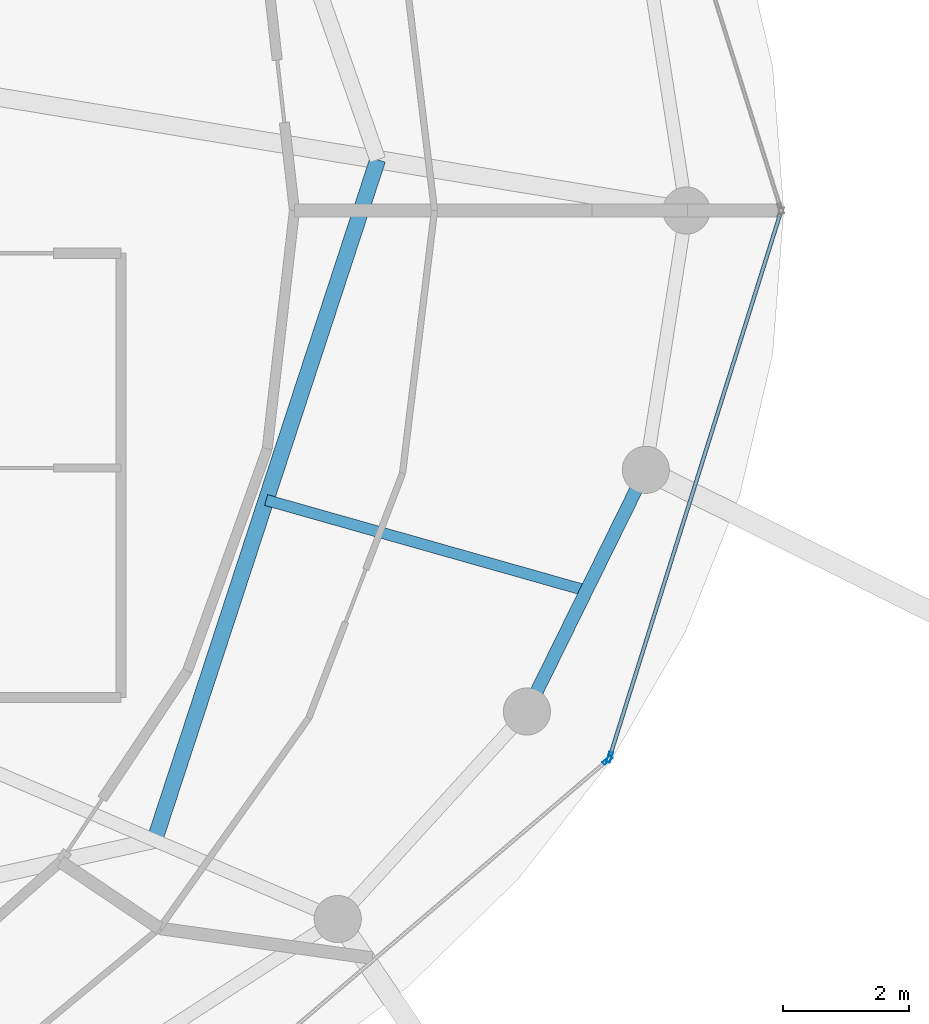
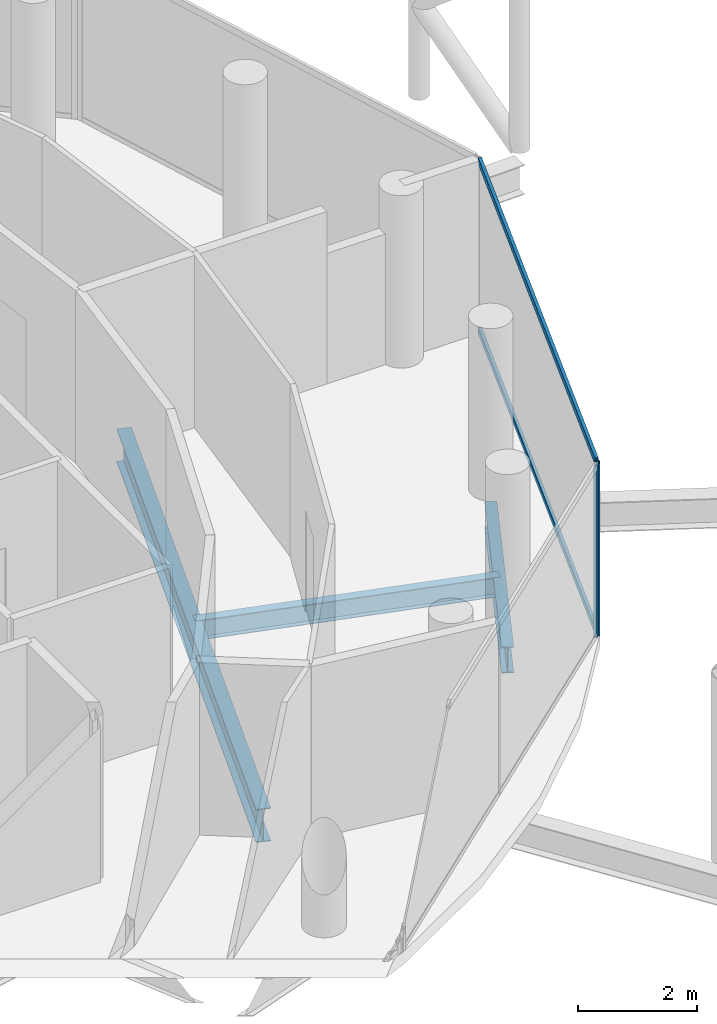
# One storey, part 10 of 24: 4 members, 3 beams, 2 elements without a shape of their own.
"""IFC4 building model written with IfcOpenShell, lengths in metres."""

from ifc_helpers import new_model, si_unit, direction, frame, origin, origin_2d, place, context, subcontext, project, spatial, hollow_rectangle, i_section, extrude, material, layer, layer_set, material_profile, profile_set, type_object, element, aggregate, save


model = new_model("IFC4")

# Units and contexts
model_context = context("Model", 3, precision=1e-05, world=origin(), true_north=direction((0.0, 1.0)))
body_context = subcontext(model_context, "Body", "Model", "MODEL_VIEW")
ifc_project = project(units=[si_unit("LENGTHUNIT", "METRE"), si_unit("AREAUNIT", "SQUARE_METRE"), si_unit("VOLUMEUNIT", "CUBIC_METRE"), si_unit("PLANEANGLEUNIT", "RADIAN"), si_unit("MASSUNIT", "GRAM", prefix="KILO")], contexts=[model_context])

# Site, building, storey
site_placement = place(None, origin())
site = spatial("IfcSite", under=ifc_project, at=site_placement, CompositionType="ELEMENT")
building_placement = place(site_placement, origin())
building = spatial("IfcBuilding", under=site, at=building_placement, Name="Nuhasar Tower", CompositionType="ELEMENT")
storey_placement = place(building_placement, frame((0.0, 0.0, 267.0)))
storey = spatial("IfcBuildingStorey", under=building, at=storey_placement, Name="L66", CompositionType="ELEMENT", Elevation=267.0)

# Beams
ifc_material_1 = material(Name="Steel S355", Category="steel")
ifc_material_profile_1 = material_profile(ifc_material_1, i_section(OverallWidth=0.25390625, OverallDepth=0.68408203125, WebThickness=0.012451171875, FlangeThickness=0.018798828125, at=origin_2d()), Name="W27X94")
ifc_profile_set_1 = profile_set([ifc_material_profile_1], Name="Steel S355")
beam_type_1 = type_object("IfcBeamType", Name="BM-INRING-W27X94", PredefinedType="BEAM", material=ifc_profile_set_1)
beam_1_placement = place(storey_placement, frame((49.48388671875, 16.77392578125, -0.60205078125), z_axis=(0.311483801376, 0.950251462235, 0.0), x_axis=(-0.950251462235, 0.311483801376, 0.0)))
element("IfcBeam", 1, at=beam_1_placement, inside=storey, type_object=beam_type_1, Name="L66 Inner Header Beam 03", PredefinedType="BEAM", context=body_context, shape_type="SweptSolid", body=[
    extrude(i_section(OverallWidth=0.25390625, OverallDepth=0.68408203125, WebThickness=0.012451171875, FlangeThickness=0.018798828125, at=origin_2d()), origin(), (0.0, 0.0, 1.0), 11.403564453125),
])
ifc_material_profile_2 = material_profile(ifc_material_1, i_section(OverallWidth=0.177978515625, OverallDepth=0.406005859375, WebThickness=0.0078125, FlangeThickness=0.0126953125, at=origin_2d()), Name="W16X40")
ifc_profile_set_2 = profile_set([ifc_material_profile_2], Name="Steel S355")
beam_type_2 = type_object("IfcBeamType", Name="BM-JST-W16X40", PredefinedType="JOIST", material=ifc_profile_set_2)
beam_2_placement = place(storey_placement, frame((51.260009765625, 22.19189453125, -0.462890625), z_axis=(0.962154316042, -0.272505178156, 0.0), x_axis=(0.272505178156, 0.962154316042, 0.0)))
element("IfcBeam", 2, at=beam_2_placement, inside=storey, type_object=beam_type_2, Name="L66 Secondary Floor Joist 03", PredefinedType="JOIST", context=body_context, shape_type="SweptSolid", body=[
    extrude(i_section(OverallWidth=0.177978515625, OverallDepth=0.406005859375, WebThickness=0.0078125, FlangeThickness=0.0126953125, at=origin_2d()), origin(), (0.0, 0.0, 1.0), 5.29833984375),
])
ifc_material_profile_3 = material_profile(ifc_material_1, i_section(OverallWidth=0.2099609375, OverallDepth=0.537109375, WebThickness=0.010986328125, FlangeThickness=0.017333984375, at=origin_2d()), Name="W21X68")
ifc_profile_set_3 = profile_set([ifc_material_profile_3], Name="Steel S355")
beam_type_3 = type_object("IfcBeamType", Name="BM-RING-W21X68", PredefinedType="SPANDREL", material=ifc_profile_set_3)
beam_3_placement = place(storey_placement, frame((55.410888671875, 18.824951171875, -0.529052734375), z_axis=(0.441510561726, 0.897256052576, 0.0), x_axis=(-0.897256052576, 0.441510561726, 0.0)))
element("IfcBeam", 3, at=beam_3_placement, inside=storey, type_object=beam_type_3, Name="L66 Perimeter Ring Spandrel 23", PredefinedType="SPANDREL", context=body_context, shape_type="SweptSolid", body=[
    extrude(i_section(OverallWidth=0.2099609375, OverallDepth=0.537109375, WebThickness=0.010986328125, FlangeThickness=0.017333984375, at=origin_2d()), origin(), (0.0, 0.0, 1.0), 4.28759765625),
])

# Curtain wall, member
ifc_material_2 = material(Name="Aluminium 6063-T6", Category="aluminium")
ifc_layer = layer(ifc_material_2, 0.18994140625)
ifc_layer_set = layer_set([ifc_layer], Name="Aluminium 6063-T6")
curtain_wall_type = type_object("IfcCurtainWallType", Name="CW-Z4-PEN", PredefinedType="NOTDEFINED", material=ifc_layer_set)
curtain_wall_1_placement = place(storey_placement, origin())
curtain_wall_1 = element("IfcCurtainWall", 4, at=curtain_wall_1_placement, inside=storey, type_object=curtain_wall_type, Name="L66 Unitised Curtain Wall 11", PredefinedType="NOTDEFINED")
ifc_material_profile_4 = material_profile(ifc_material_2, hollow_rectangle(XDim=0.06005859375, YDim=0.1650390625, WallThickness=0.0048828125, at=origin_2d()), Name="CWM-5")
ifc_profile_set_4 = profile_set([ifc_material_profile_4], Name="Aluminium 6063-T6")
member_type_1 = type_object("IfcMemberType", Name="CW-MUL-S5", PredefinedType="MULLION", material=ifc_profile_set_4)
member_1_placement = place(storey_placement, frame((56.6962890625, 18.050537109375, 0.0), z_axis=(0.0, 0.0, 1.0), x_axis=(-0.649141996205, 0.760667252327, 0.0)))
member_1 = element("IfcMember", 5, at=member_1_placement, type_object=member_type_1, Name="CW-Z4 mullion 2", PredefinedType="MULLION", context=body_context, shape_type="SweptSolid", body=[
    extrude(hollow_rectangle(XDim=0.06005859375, YDim=0.1650390625, WallThickness=0.0048828125, at=origin_2d()), origin(), (0.0, 0.0, 1.0), 3.5400390625),
])
aggregate(curtain_wall_1, [member_1])

# Curtain wall, members
curtain_wall_2_placement = place(storey_placement, origin())
curtain_wall_2 = element("IfcCurtainWall", 6, at=curtain_wall_2_placement, inside=storey, type_object=curtain_wall_type, Name="L66 Unitised Curtain Wall 12", PredefinedType="NOTDEFINED")
member_2_placement = place(storey_placement, frame((56.72802734375, 18.0986328125, 0.0), z_axis=(0.0, 0.0, 1.0), x_axis=(-0.954078526601, 0.299556614146, 0.0)))
member_2 = element("IfcMember", 7, at=member_2_placement, type_object=member_type_1, Name="CW-Z4 mullion 1", PredefinedType="MULLION", context=body_context, shape_type="SweptSolid", body=[
    extrude(hollow_rectangle(XDim=0.06005859375, YDim=0.1650390625, WallThickness=0.0048828125, at=origin_2d()), origin(), (0.0, 0.0, 1.0), 3.5400390625),
])
ifc_material_profile_5 = material_profile(ifc_material_2, hollow_rectangle(XDim=0.06005859375, YDim=0.135009765625, WallThickness=0.00439453125, at=origin_2d()), Name="CWT-5")
ifc_profile_set_5 = profile_set([ifc_material_profile_5], Name="Aluminium 6063-T6")
member_type_2 = type_object("IfcMemberType", Name="CW-TRN-S5", PredefinedType="USERDEFINED", material=ifc_profile_set_5)
member_3_placement = place(storey_placement, frame((56.737060546875, 18.127197265625, 0.030029296875), z_axis=(0.29956014073, 0.954077419335, 0.0), x_axis=(-0.954077419335, 0.29956014073, 0.0)))
member_3 = element("IfcMember", 8, at=member_3_placement, type_object=member_type_2, Name="CW-Z4 transom 1.1", ObjectType="TRANSOM", PredefinedType="USERDEFINED", context=body_context, shape_type="SweptSolid", body=[
    extrude(hollow_rectangle(XDim=0.06005859375, YDim=0.135009765625, WallThickness=0.00439453125, at=origin_2d()), origin(), (0.0, 0.0, 1.0), 9.0302734375),
])
member_4_placement = place(storey_placement, frame((56.737060546875, 18.127197265625, 3.510009765625), z_axis=(0.29956014073, 0.954077419335, 0.0), x_axis=(-0.954077419335, 0.29956014073, 0.0)))
member_4 = element("IfcMember", 9, at=member_4_placement, type_object=member_type_2, Name="CW-Z4 transom 1.2", ObjectType="TRANSOM", PredefinedType="USERDEFINED", context=body_context, shape_type="SweptSolid", body=[
    extrude(hollow_rectangle(XDim=0.06005859375, YDim=0.135009765625, WallThickness=0.00439453125, at=origin_2d()), origin(), (0.0, 0.0, 1.0), 9.0302734375),
])
aggregate(curtain_wall_2, [member_2, member_3, member_4])

save(model, "model.ifc")
